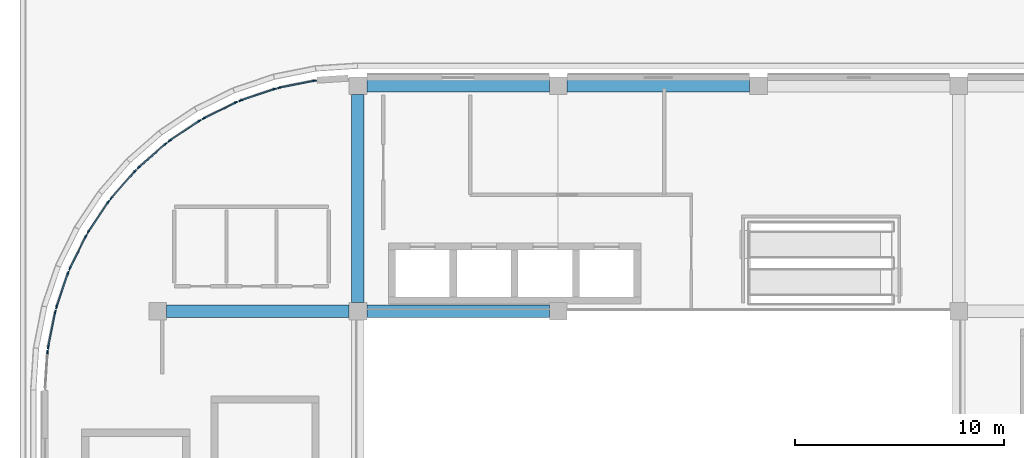
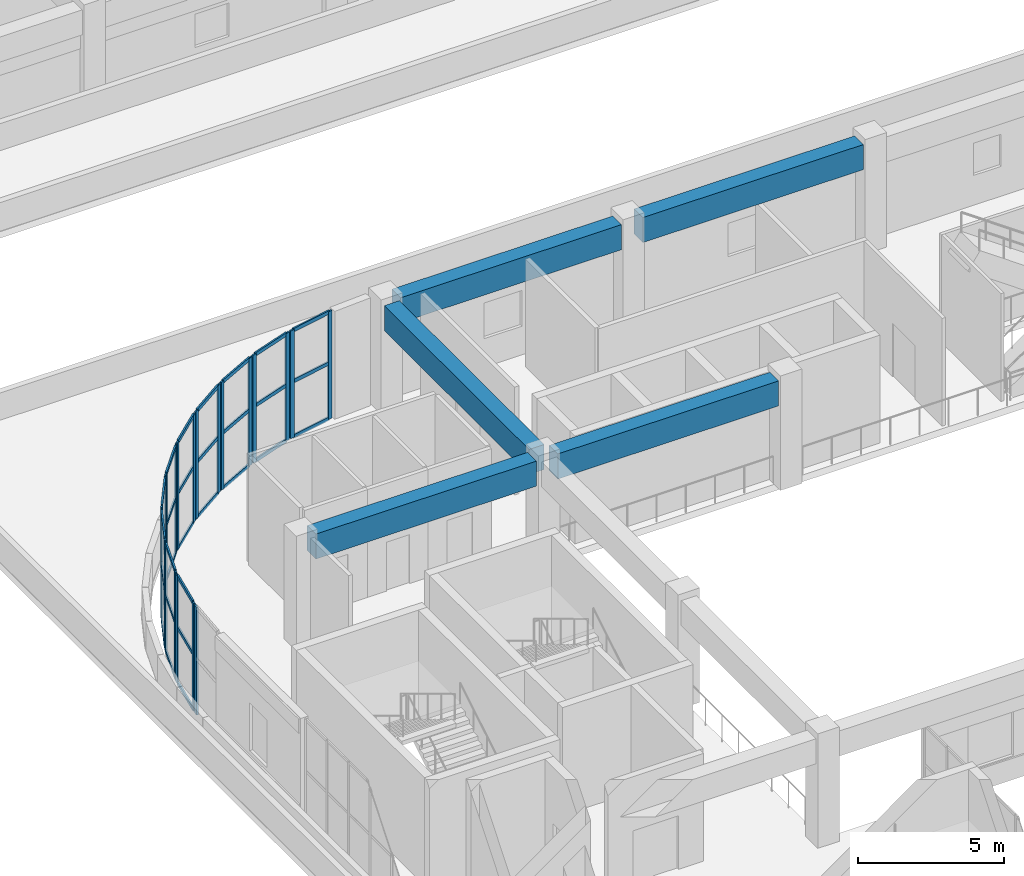
# One storey, part 8 of 67: 51 members, 5 beams, 11 elements without a shape of their own.
"""IFC4 building model written with IfcOpenShell, lengths in metres."""

from ifc_helpers import new_model, si_unit, direction, frame, origin, origin_2d, place, context, subcontext, project, spatial, rectangle, extrude, material, layer, layer_set, material_profile, profile_set, type_object, element, aggregate, save


model = new_model("IFC4")

# Units and contexts
model_context = context("Model", 3, precision=1e-05, world=origin(), true_north=direction((0.0, 1.0)))
body_context = subcontext(model_context, "Body", "Model", "MODEL_VIEW")
ifc_project = project(units=[si_unit("LENGTHUNIT", "METRE"), si_unit("AREAUNIT", "SQUARE_METRE"), si_unit("VOLUMEUNIT", "CUBIC_METRE"), si_unit("PLANEANGLEUNIT", "RADIAN"), si_unit("MASSUNIT", "GRAM", prefix="KILO")], contexts=[model_context])

# Site, building, storey
site_placement = place(None, origin())
site = spatial("IfcSite", under=ifc_project, at=site_placement, CompositionType="ELEMENT")
building_placement = place(site_placement, origin())
building = spatial("IfcBuilding", under=site, at=building_placement, Name="Cendralis Terraced Arcade", CompositionType="ELEMENT")
storey_placement = place(building_placement, frame((0.0, 0.0, 15.0)))
storey = spatial("IfcBuildingStorey", under=building, at=storey_placement, Name="L03", CompositionType="ELEMENT", Elevation=15.0)

# Beams
ifc_material_1 = material(Name="Concrete f'c 35 MPa", Category="concrete")
ifc_material_profile_1 = material_profile(ifc_material_1, rectangle(XDim=0.60009765625, YDim=1.050048828125, at=origin_2d()), Name="RC-BM-600x1050", Category="LoadBearing")
ifc_profile_set_1 = profile_set([ifc_material_profile_1], Name="Concrete f'c 35 MPa")
beam_type = type_object("IfcBeamType", Name="BM-600x1050", PredefinedType="JOIST", material=ifc_profile_set_1)
for number, where, z_axis, x_axis, name in (
    (1, (10.02490234375, 38.39990234375, 3.9951171875), (1.0, 0.0, 0.0), (0.0, 1.0, 0.0), "Reinforced Concrete Frame Beam BM-X-L04-E-2_3"),
    (2, (19.625, 38.39990234375, 3.9951171875), (1.0, 0.0, 0.0), (0.0, 1.0, 0.0), "Reinforced Concrete Frame Beam BM-X-L04-E-3_4"),
    (3, (19.625, 49.199951171875, 3.9951171875), (1.0, 0.0, 0.0), (0.0, 1.0, 0.0), "Reinforced Concrete Frame Beam BM-X-L04-F-3_4"),
    (4, (29.22509765625, 49.199951171875, 3.9951171875), (1.0, 0.0, 0.0), (0.0, 1.0, 0.0), "Reinforced Concrete Frame Beam BM-X-L04-F-4_5"),
):
    element("IfcBeam", number, at=place(storey_placement, frame(where, z_axis=z_axis, x_axis=x_axis)), inside=storey, type_object=beam_type, Name=name, PredefinedType="JOIST", context=body_context, shape_type="SweptSolid", body=[
        extrude(rectangle(XDim=0.60009765625, YDim=1.050048828125, at=origin_2d()), origin(), (0.0, 0.0, 1.0), 8.75),
    ])
beam_placement = place(storey_placement, frame((19.199951171875, 38.824951171875, 3.9951171875), z_axis=(0.0, 1.0, 0.0), x_axis=(-1.0, 0.0, 0.0)))
element("IfcBeam", 5, at=beam_placement, inside=storey, type_object=beam_type, Name="Reinforced Concrete Frame Beam BM-Y-L04-3-E_F", PredefinedType="JOIST", context=body_context, shape_type="SweptSolid", body=[
    extrude(rectangle(XDim=0.60009765625, YDim=1.050048828125, at=origin_2d()), origin(), (0.0, 0.0, 1.0), 9.949951171875),
])

# Curtain wall, members
ifc_material_2 = material(Name="Anodised aluminium EN AW-6063 T6", Category="aluminium")
ifc_layer = layer(ifc_material_2, 0.179931640625, Name="CW-UNIT-A")
ifc_layer_set = layer_set([ifc_layer], Name="Anodised aluminium EN AW-6063 T6")
curtain_wall_type = type_object("IfcCurtainWallType", Name="CW-UNIT-A", PredefinedType="USERDEFINED", material=ifc_layer_set)
curtain_wall_1_placement = place(storey_placement, origin())
curtain_wall_1 = element("IfcCurtainWall", 6, at=curtain_wall_1_placement, inside=storey, type_object=curtain_wall_type, Name="Exterior Unitised Facade CW-L03-0270", ObjectType="UNITISED FACADE", PredefinedType="USERDEFINED")
ifc_material_profile_2 = material_profile(ifc_material_2, rectangle(XDim=0.06494140625, YDim=0.179931640625, at=origin_2d()), Name="ALU-MUL-65x180")
ifc_profile_set_2 = profile_set([ifc_material_profile_2], Name="Anodised aluminium EN AW-6063 T6")
member_type_1 = type_object("IfcMemberType", Name="CW-UNIT-A-MUL", PredefinedType="MULLION", material=ifc_profile_set_2)
member_1_placement = place(storey_placement, frame((4.352294921875, 36.677978515625, 0.0), z_axis=(0.0, 0.0, 1.0), x_axis=(-0.980791618721, 0.195058454434, 0.0)))
member_1 = element("IfcMember", 7, at=member_1_placement, type_object=member_type_1, Name="CW-U1 mullion 1", PredefinedType="MULLION", context=body_context, shape_type="SweptSolid", body=[
    extrude(rectangle(XDim=0.06494140625, YDim=0.179931640625, at=origin_2d()), origin(), (0.0, 0.0, 1.0), 4.52001953125),
])
member_2_placement = place(storey_placement, frame((4.687255859375, 38.362060546875, 0.0), z_axis=(0.0, 0.0, 1.0), x_axis=(-0.980791618721, 0.195058454434, 0.0)))
member_2 = element("IfcMember", 8, at=member_2_placement, type_object=member_type_1, Name="CW-U1 mullion 2", PredefinedType="MULLION", context=body_context, shape_type="SweptSolid", body=[
    extrude(rectangle(XDim=0.06494140625, YDim=0.179931640625, at=origin_2d()), origin(), (0.0, 0.0, 1.0), 4.52001953125),
])

curtain_wall_2_placement = place(storey_placement, origin())
curtain_wall_2 = element("IfcCurtainWall", 9, at=curtain_wall_2_placement, inside=storey, type_object=curtain_wall_type, Name="Exterior Unitised Facade CW-L03-0271", ObjectType="UNITISED FACADE", PredefinedType="USERDEFINED")
member_3_placement = place(storey_placement, frame((4.75048828125, 38.598388671875, 0.0), z_axis=(0.0, 0.0, 1.0), x_axis=(-0.946923811316, 0.321458077458, 0.0)))
member_3 = element("IfcMember", 10, at=member_3_placement, type_object=member_type_1, Name="CW-U1 mullion 1", PredefinedType="MULLION", context=body_context, shape_type="SweptSolid", body=[
    extrude(rectangle(XDim=0.06494140625, YDim=0.179931640625, at=origin_2d()), origin(), (0.0, 0.0, 1.0), 4.52001953125),
])
member_4_placement = place(storey_placement, frame((5.302490234375, 40.224365234375, 0.0), z_axis=(0.0, 0.0, 1.0), x_axis=(-0.946923811316, 0.321458077458, 0.0)))
member_4 = element("IfcMember", 11, at=member_4_placement, type_object=member_type_1, Name="CW-U1 mullion 2", PredefinedType="MULLION", context=body_context, shape_type="SweptSolid", body=[
    extrude(rectangle(XDim=0.06494140625, YDim=0.179931640625, at=origin_2d()), origin(), (0.0, 0.0, 1.0), 4.52001953125),
])

curtain_wall_3_placement = place(storey_placement, origin())
curtain_wall_3 = element("IfcCurtainWall", 12, at=curtain_wall_3_placement, inside=storey, type_object=curtain_wall_type, Name="Exterior Unitised Facade CW-L03-0272", ObjectType="UNITISED FACADE", PredefinedType="USERDEFINED")
member_5_placement = place(storey_placement, frame((5.39599609375, 40.4501953125, 0.0), z_axis=(0.0, 0.0, 1.0), x_axis=(-0.896871480419, 0.442291247495, 0.0)))
member_5 = element("IfcMember", 13, at=member_5_placement, type_object=member_type_1, Name="CW-U1 mullion 1", PredefinedType="MULLION", context=body_context, shape_type="SweptSolid", body=[
    extrude(rectangle(XDim=0.06494140625, YDim=0.179931640625, at=origin_2d()), origin(), (0.0, 0.0, 1.0), 4.52001953125),
])
member_6_placement = place(storey_placement, frame((6.155517578125, 41.990234375, 0.0), z_axis=(0.0, 0.0, 1.0), x_axis=(-0.896871480419, 0.442291247495, 0.0)))
member_6 = element("IfcMember", 14, at=member_6_placement, type_object=member_type_1, Name="CW-U1 mullion 2", PredefinedType="MULLION", context=body_context, shape_type="SweptSolid", body=[
    extrude(rectangle(XDim=0.06494140625, YDim=0.179931640625, at=origin_2d()), origin(), (0.0, 0.0, 1.0), 4.52001953125),
])

curtain_wall_4_placement = place(storey_placement, origin())
curtain_wall_4 = element("IfcCurtainWall", 15, at=curtain_wall_4_placement, inside=storey, type_object=curtain_wall_type, Name="Exterior Unitised Facade CW-L03-0273", ObjectType="UNITISED FACADE", PredefinedType="USERDEFINED")
member_7_placement = place(storey_placement, frame((6.277587890625, 42.201904296875, 0.0), z_axis=(0.0, 0.0, 1.0), x_axis=(-0.831471454125, 0.555567476528, 0.0)))
member_7 = element("IfcMember", 16, at=member_7_placement, type_object=member_type_1, Name="CW-U1 mullion 1", PredefinedType="MULLION", context=body_context, shape_type="SweptSolid", body=[
    extrude(rectangle(XDim=0.06494140625, YDim=0.179931640625, at=origin_2d()), origin(), (0.0, 0.0, 1.0), 4.52001953125),
])
member_8_placement = place(storey_placement, frame((7.231689453125, 43.629638671875, 0.0), z_axis=(0.0, 0.0, 1.0), x_axis=(-0.831471454125, 0.555567476528, 0.0)))
member_8 = element("IfcMember", 17, at=member_8_placement, type_object=member_type_1, Name="CW-U1 mullion 2", PredefinedType="MULLION", context=body_context, shape_type="SweptSolid", body=[
    extrude(rectangle(XDim=0.06494140625, YDim=0.179931640625, at=origin_2d()), origin(), (0.0, 0.0, 1.0), 4.52001953125),
])

curtain_wall_5_placement = place(storey_placement, origin())
curtain_wall_5 = element("IfcCurtainWall", 18, at=curtain_wall_5_placement, inside=storey, type_object=curtain_wall_type, Name="Exterior Unitised Facade CW-L03-0274", ObjectType="UNITISED FACADE", PredefinedType="USERDEFINED")
member_9_placement = place(storey_placement, frame((7.38037109375, 43.823486328125, 0.0), z_axis=(0.0, 0.0, 1.0), x_axis=(-0.751804497477, 0.659386076266, 0.0)))
member_9 = element("IfcMember", 19, at=member_9_placement, type_object=member_type_1, Name="CW-U1 mullion 1", PredefinedType="MULLION", context=body_context, shape_type="SweptSolid", body=[
    extrude(rectangle(XDim=0.06494140625, YDim=0.179931640625, at=origin_2d()), origin(), (0.0, 0.0, 1.0), 4.52001953125),
])
member_10_placement = place(storey_placement, frame((8.5126953125, 45.114501953125, 0.0), z_axis=(0.0, 0.0, 1.0), x_axis=(-0.751804497477, 0.659386076266, 0.0)))
member_10 = element("IfcMember", 20, at=member_10_placement, type_object=member_type_1, Name="CW-U1 mullion 2", PredefinedType="MULLION", context=body_context, shape_type="SweptSolid", body=[
    extrude(rectangle(XDim=0.06494140625, YDim=0.179931640625, at=origin_2d()), origin(), (0.0, 0.0, 1.0), 4.52001953125),
])

curtain_wall_6_placement = place(storey_placement, origin())
curtain_wall_6 = element("IfcCurtainWall", 21, at=curtain_wall_6_placement, inside=storey, type_object=curtain_wall_type, Name="Exterior Unitised Facade CW-L03-0275", ObjectType="UNITISED FACADE", PredefinedType="USERDEFINED")
member_11_placement = place(storey_placement, frame((8.685546875, 45.287353515625, 0.0), z_axis=(0.0, 0.0, 1.0), x_axis=(-0.659386076266, 0.751804497477, 0.0)))
member_11 = element("IfcMember", 22, at=member_11_placement, type_object=member_type_1, Name="CW-U1 mullion 1", PredefinedType="MULLION", context=body_context, shape_type="SweptSolid", body=[
    extrude(rectangle(XDim=0.06494140625, YDim=0.179931640625, at=origin_2d()), origin(), (0.0, 0.0, 1.0), 4.52001953125),
])
member_12_placement = place(storey_placement, frame((9.9765625, 46.419677734375, 0.0), z_axis=(0.0, 0.0, 1.0), x_axis=(-0.659386076266, 0.751804497477, 0.0)))
member_12 = element("IfcMember", 23, at=member_12_placement, type_object=member_type_1, Name="CW-U1 mullion 2", PredefinedType="MULLION", context=body_context, shape_type="SweptSolid", body=[
    extrude(rectangle(XDim=0.06494140625, YDim=0.179931640625, at=origin_2d()), origin(), (0.0, 0.0, 1.0), 4.52001953125),
])

curtain_wall_7_placement = place(storey_placement, origin())
curtain_wall_7 = element("IfcCurtainWall", 24, at=curtain_wall_7_placement, inside=storey, type_object=curtain_wall_type, Name="Exterior Unitised Facade CW-L03-0276", ObjectType="UNITISED FACADE", PredefinedType="USERDEFINED")
member_13_placement = place(storey_placement, frame((10.17041015625, 46.568359375, 0.0), z_axis=(0.0, 0.0, 1.0), x_axis=(-0.555567476528, 0.831471454125, 0.0)))
member_13 = element("IfcMember", 25, at=member_13_placement, type_object=member_type_1, Name="CW-U1 mullion 1", PredefinedType="MULLION", context=body_context, shape_type="SweptSolid", body=[
    extrude(rectangle(XDim=0.06494140625, YDim=0.179931640625, at=origin_2d()), origin(), (0.0, 0.0, 1.0), 4.52001953125),
])
member_14_placement = place(storey_placement, frame((11.59814453125, 47.5224609375, 0.0), z_axis=(0.0, 0.0, 1.0), x_axis=(-0.555567476528, 0.831471454125, 0.0)))
member_14 = element("IfcMember", 26, at=member_14_placement, type_object=member_type_1, Name="CW-U1 mullion 2", PredefinedType="MULLION", context=body_context, shape_type="SweptSolid", body=[
    extrude(rectangle(XDim=0.06494140625, YDim=0.179931640625, at=origin_2d()), origin(), (0.0, 0.0, 1.0), 4.52001953125),
])

curtain_wall_8_placement = place(storey_placement, origin())
curtain_wall_8 = element("IfcCurtainWall", 27, at=curtain_wall_8_placement, inside=storey, type_object=curtain_wall_type, Name="Exterior Unitised Facade CW-L03-0277", ObjectType="UNITISED FACADE", PredefinedType="USERDEFINED")
member_15_placement = place(storey_placement, frame((11.809814453125, 47.64453125, 0.0), z_axis=(0.0, 0.0, 1.0), x_axis=(-0.442291247495, 0.896871480419, 0.0)))
member_15 = element("IfcMember", 28, at=member_15_placement, type_object=member_type_1, Name="CW-U1 mullion 1", PredefinedType="MULLION", context=body_context, shape_type="SweptSolid", body=[
    extrude(rectangle(XDim=0.06494140625, YDim=0.179931640625, at=origin_2d()), origin(), (0.0, 0.0, 1.0), 4.52001953125),
])
member_16_placement = place(storey_placement, frame((13.349853515625, 48.404052734375, 0.0), z_axis=(0.0, 0.0, 1.0), x_axis=(-0.442291247495, 0.896871480419, 0.0)))
member_16 = element("IfcMember", 29, at=member_16_placement, type_object=member_type_1, Name="CW-U1 mullion 2", PredefinedType="MULLION", context=body_context, shape_type="SweptSolid", body=[
    extrude(rectangle(XDim=0.06494140625, YDim=0.179931640625, at=origin_2d()), origin(), (0.0, 0.0, 1.0), 4.52001953125),
])

curtain_wall_9_placement = place(storey_placement, origin())
curtain_wall_9 = element("IfcCurtainWall", 30, at=curtain_wall_9_placement, inside=storey, type_object=curtain_wall_type, Name="Exterior Unitised Facade CW-L03-0278", ObjectType="UNITISED FACADE", PredefinedType="USERDEFINED")
member_17_placement = place(storey_placement, frame((13.57568359375, 48.49755859375, 0.0), z_axis=(0.0, 0.0, 1.0), x_axis=(-0.321458077458, 0.946923811316, 0.0)))
member_17 = element("IfcMember", 31, at=member_17_placement, type_object=member_type_1, Name="CW-U1 mullion 1", PredefinedType="MULLION", context=body_context, shape_type="SweptSolid", body=[
    extrude(rectangle(XDim=0.06494140625, YDim=0.179931640625, at=origin_2d()), origin(), (0.0, 0.0, 1.0), 4.52001953125),
])
member_18_placement = place(storey_placement, frame((15.20166015625, 49.049560546875, 0.0), z_axis=(0.0, 0.0, 1.0), x_axis=(-0.321458077458, 0.946923811316, 0.0)))
member_18 = element("IfcMember", 32, at=member_18_placement, type_object=member_type_1, Name="CW-U1 mullion 2", PredefinedType="MULLION", context=body_context, shape_type="SweptSolid", body=[
    extrude(rectangle(XDim=0.06494140625, YDim=0.179931640625, at=origin_2d()), origin(), (0.0, 0.0, 1.0), 4.52001953125),
])

curtain_wall_10_placement = place(storey_placement, origin())
curtain_wall_10 = element("IfcCurtainWall", 33, at=curtain_wall_10_placement, inside=storey, type_object=curtain_wall_type, Name="Exterior Unitised Facade CW-L03-0279", ObjectType="UNITISED FACADE", PredefinedType="USERDEFINED")
member_19_placement = place(storey_placement, frame((15.43798828125, 49.11279296875, 0.0), z_axis=(0.0, 0.0, 1.0), x_axis=(-0.195058454434, 0.980791618721, 0.0)))
member_19 = element("IfcMember", 34, at=member_19_placement, type_object=member_type_1, Name="CW-U1 mullion 1", PredefinedType="MULLION", context=body_context, shape_type="SweptSolid", body=[
    extrude(rectangle(XDim=0.06494140625, YDim=0.179931640625, at=origin_2d()), origin(), (0.0, 0.0, 1.0), 4.52001953125),
])
member_20_placement = place(storey_placement, frame((17.121826171875, 49.44775390625, 0.0), z_axis=(0.0, 0.0, 1.0), x_axis=(-0.195058454434, 0.980791618721, 0.0)))
member_20 = element("IfcMember", 35, at=member_20_placement, type_object=member_type_1, Name="CW-U1 mullion 2", PredefinedType="MULLION", context=body_context, shape_type="SweptSolid", body=[
    extrude(rectangle(XDim=0.06494140625, YDim=0.179931640625, at=origin_2d()), origin(), (0.0, 0.0, 1.0), 4.52001953125),
])

# Curtain wall, member
curtain_wall_11_placement = place(storey_placement, origin())
curtain_wall_11 = element("IfcCurtainWall", 36, at=curtain_wall_11_placement, inside=storey, type_object=curtain_wall_type, Name="Exterior Unitised Facade CW-L03-0298", ObjectType="UNITISED FACADE", PredefinedType="USERDEFINED")
member_21_placement = place(storey_placement, frame((4.3203125, 36.435791015625, 0.0), z_axis=(0.0, 0.0, 1.0), x_axis=(-0.997860971336, 0.065371873798, 0.0)))
member_21 = element("IfcMember", 37, at=member_21_placement, type_object=member_type_1, Name="CW-U1 mullion 2", PredefinedType="MULLION", context=body_context, shape_type="SweptSolid", body=[
    extrude(rectangle(XDim=0.06494140625, YDim=0.179931640625, at=origin_2d()), origin(), (0.0, 0.0, 1.0), 4.52001953125),
])
aggregate(curtain_wall_11, [member_21])

# Member
ifc_material_profile_3 = material_profile(ifc_material_2, rectangle(XDim=0.06494140625, YDim=0.14990234375, at=origin_2d()), Name="ALU-TRN-65x150")
ifc_profile_set_3 = profile_set([ifc_material_profile_3], Name="Anodised aluminium EN AW-6063 T6")
member_type_2 = type_object("IfcMemberType", Name="CW-UNIT-A-TRN", PredefinedType="USERDEFINED", material=ifc_profile_set_3)
member_22_placement = place(storey_placement, frame((4.358642578125, 36.7099609375, 0.032470703125), z_axis=(0.195064538134, 0.980790408784, 0.0), x_axis=(-0.980790408784, 0.195064538134, 0.0)))
member_22 = element("IfcMember", 38, at=member_22_placement, type_object=member_type_2, Name="CW-U1 transom 1.1", ObjectType="TRANSOM", PredefinedType="USERDEFINED", context=body_context, shape_type="SweptSolid", body=[
    extrude(rectangle(XDim=0.06494140625, YDim=0.14990234375, at=origin_2d()), origin(), (0.0, 0.0, 1.0), 1.652099609375),
])

member_23_placement = place(storey_placement, frame((4.358642578125, 36.7099609375, 2.350341796875), z_axis=(0.195064538134, 0.980790408784, 0.0), x_axis=(-0.980790408784, 0.195064538134, 0.0)))
member_23 = element("IfcMember", 39, at=member_23_placement, type_object=member_type_2, Name="CW-U1 transom 1.2", ObjectType="TRANSOM", PredefinedType="USERDEFINED", context=body_context, shape_type="SweptSolid", body=[
    extrude(rectangle(XDim=0.06494140625, YDim=0.14990234375, at=origin_2d()), origin(), (0.0, 0.0, 1.0), 1.652099609375),
])

member_24_placement = place(storey_placement, frame((4.358642578125, 36.7099609375, 4.487548828125), z_axis=(0.195064538134, 0.980790408784, 0.0), x_axis=(-0.980790408784, 0.195064538134, 0.0)))
member_24 = element("IfcMember", 40, at=member_24_placement, type_object=member_type_2, Name="CW-U1 transom 1.3", ObjectType="TRANSOM", PredefinedType="USERDEFINED", context=body_context, shape_type="SweptSolid", body=[
    extrude(rectangle(XDim=0.06494140625, YDim=0.14990234375, at=origin_2d()), origin(), (0.0, 0.0, 1.0), 1.652099609375),
])

aggregate(curtain_wall_1, [member_1, member_2, member_22, member_23, member_24])

member_25_placement = place(storey_placement, frame((4.760986328125, 38.629150390625, 0.032470703125), z_axis=(0.321409930755, 0.94694015461, 0.0), x_axis=(-0.94694015461, 0.321409930755, 0.0)))
member_25 = element("IfcMember", 41, at=member_25_placement, type_object=member_type_2, Name="CW-U1 transom 1.1", ObjectType="TRANSOM", PredefinedType="USERDEFINED", context=body_context, shape_type="SweptSolid", body=[
    extrude(rectangle(XDim=0.06494140625, YDim=0.14990234375, at=origin_2d()), origin(), (0.0, 0.0, 1.0), 1.652099609375),
])

member_26_placement = place(storey_placement, frame((4.760986328125, 38.629150390625, 2.350341796875), z_axis=(0.321409930755, 0.94694015461, 0.0), x_axis=(-0.94694015461, 0.321409930755, 0.0)))
member_26 = element("IfcMember", 42, at=member_26_placement, type_object=member_type_2, Name="CW-U1 transom 1.2", ObjectType="TRANSOM", PredefinedType="USERDEFINED", context=body_context, shape_type="SweptSolid", body=[
    extrude(rectangle(XDim=0.06494140625, YDim=0.14990234375, at=origin_2d()), origin(), (0.0, 0.0, 1.0), 1.652099609375),
])

member_27_placement = place(storey_placement, frame((4.760986328125, 38.629150390625, 4.487548828125), z_axis=(0.321409930755, 0.94694015461, 0.0), x_axis=(-0.94694015461, 0.321409930755, 0.0)))
member_27 = element("IfcMember", 43, at=member_27_placement, type_object=member_type_2, Name="CW-U1 transom 1.3", ObjectType="TRANSOM", PredefinedType="USERDEFINED", context=body_context, shape_type="SweptSolid", body=[
    extrude(rectangle(XDim=0.06494140625, YDim=0.14990234375, at=origin_2d()), origin(), (0.0, 0.0, 1.0), 1.652099609375),
])

aggregate(curtain_wall_2, [member_3, member_4, member_25, member_26, member_27])

member_28_placement = place(storey_placement, frame((5.410400390625, 40.479248046875, 0.032470703125), z_axis=(0.442300625853, 0.896866855431, 0.0), x_axis=(-0.896866855431, 0.442300625853, 0.0)))
member_28 = element("IfcMember", 44, at=member_28_placement, type_object=member_type_2, Name="CW-U1 transom 1.1", ObjectType="TRANSOM", PredefinedType="USERDEFINED", context=body_context, shape_type="SweptSolid", body=[
    extrude(rectangle(XDim=0.06494140625, YDim=0.14990234375, at=origin_2d()), origin(), (0.0, 0.0, 1.0), 1.652099609375),
])

member_29_placement = place(storey_placement, frame((5.410400390625, 40.479248046875, 2.350341796875), z_axis=(0.442300625853, 0.896866855431, 0.0), x_axis=(-0.896866855431, 0.442300625853, 0.0)))
member_29 = element("IfcMember", 45, at=member_29_placement, type_object=member_type_2, Name="CW-U1 transom 1.2", ObjectType="TRANSOM", PredefinedType="USERDEFINED", context=body_context, shape_type="SweptSolid", body=[
    extrude(rectangle(XDim=0.06494140625, YDim=0.14990234375, at=origin_2d()), origin(), (0.0, 0.0, 1.0), 1.652099609375),
])

member_30_placement = place(storey_placement, frame((5.410400390625, 40.479248046875, 4.487548828125), z_axis=(0.442300625853, 0.896866855431, 0.0), x_axis=(-0.896866855431, 0.442300625853, 0.0)))
member_30 = element("IfcMember", 46, at=member_30_placement, type_object=member_type_2, Name="CW-U1 transom 1.3", ObjectType="TRANSOM", PredefinedType="USERDEFINED", context=body_context, shape_type="SweptSolid", body=[
    extrude(rectangle(XDim=0.06494140625, YDim=0.14990234375, at=origin_2d()), origin(), (0.0, 0.0, 1.0), 1.652099609375),
])

aggregate(curtain_wall_3, [member_5, member_6, member_28, member_29, member_30])

member_31_placement = place(storey_placement, frame((6.295654296875, 42.228759765625, 0.032470703125), z_axis=(0.555586455466, 0.831458772582, 0.0), x_axis=(-0.831458772582, 0.555586455466, 0.0)))
member_31 = element("IfcMember", 47, at=member_31_placement, type_object=member_type_2, Name="CW-U1 transom 1.1", ObjectType="TRANSOM", PredefinedType="USERDEFINED", context=body_context, shape_type="SweptSolid", body=[
    extrude(rectangle(XDim=0.06494140625, YDim=0.14990234375, at=origin_2d()), origin(), (0.0, 0.0, 1.0), 1.65234375),
])

member_32_placement = place(storey_placement, frame((6.295654296875, 42.228759765625, 2.350341796875), z_axis=(0.555586455466, 0.831458772582, 0.0), x_axis=(-0.831458772582, 0.555586455466, 0.0)))
member_32 = element("IfcMember", 48, at=member_32_placement, type_object=member_type_2, Name="CW-U1 transom 1.2", ObjectType="TRANSOM", PredefinedType="USERDEFINED", context=body_context, shape_type="SweptSolid", body=[
    extrude(rectangle(XDim=0.06494140625, YDim=0.14990234375, at=origin_2d()), origin(), (0.0, 0.0, 1.0), 1.65234375),
])

member_33_placement = place(storey_placement, frame((6.295654296875, 42.228759765625, 4.487548828125), z_axis=(0.555586455466, 0.831458772582, 0.0), x_axis=(-0.831458772582, 0.555586455466, 0.0)))
member_33 = element("IfcMember", 49, at=member_33_placement, type_object=member_type_2, Name="CW-U1 transom 1.3", ObjectType="TRANSOM", PredefinedType="USERDEFINED", context=body_context, shape_type="SweptSolid", body=[
    extrude(rectangle(XDim=0.06494140625, YDim=0.14990234375, at=origin_2d()), origin(), (0.0, 0.0, 1.0), 1.65234375),
])

aggregate(curtain_wall_4, [member_7, member_8, member_31, member_32, member_33])

member_34_placement = place(storey_placement, frame((7.40185546875, 43.847900390625, 0.032470703125), z_axis=(0.659341117172, 0.751843927425, 0.0), x_axis=(-0.751843927425, 0.659341117172, 0.0)))
member_34 = element("IfcMember", 50, at=member_34_placement, type_object=member_type_2, Name="CW-U1 transom 1.1", ObjectType="TRANSOM", PredefinedType="USERDEFINED", context=body_context, shape_type="SweptSolid", body=[
    extrude(rectangle(XDim=0.06494140625, YDim=0.14990234375, at=origin_2d()), origin(), (0.0, 0.0, 1.0), 1.652099609375),
])

member_35_placement = place(storey_placement, frame((7.40185546875, 43.847900390625, 2.350341796875), z_axis=(0.659341117172, 0.751843927425, 0.0), x_axis=(-0.751843927425, 0.659341117172, 0.0)))
member_35 = element("IfcMember", 51, at=member_35_placement, type_object=member_type_2, Name="CW-U1 transom 1.2", ObjectType="TRANSOM", PredefinedType="USERDEFINED", context=body_context, shape_type="SweptSolid", body=[
    extrude(rectangle(XDim=0.06494140625, YDim=0.14990234375, at=origin_2d()), origin(), (0.0, 0.0, 1.0), 1.652099609375),
])

member_36_placement = place(storey_placement, frame((7.40185546875, 43.847900390625, 4.487548828125), z_axis=(0.659341117172, 0.751843927425, 0.0), x_axis=(-0.751843927425, 0.659341117172, 0.0)))
member_36 = element("IfcMember", 52, at=member_36_placement, type_object=member_type_2, Name="CW-U1 transom 1.3", ObjectType="TRANSOM", PredefinedType="USERDEFINED", context=body_context, shape_type="SweptSolid", body=[
    extrude(rectangle(XDim=0.06494140625, YDim=0.14990234375, at=origin_2d()), origin(), (0.0, 0.0, 1.0), 1.652099609375),
])

aggregate(curtain_wall_5, [member_9, member_10, member_34, member_35, member_36])

member_37_placement = place(storey_placement, frame((8.7099609375, 45.308837890625, 0.032470703125), z_axis=(0.751843927425, 0.659341117172, 0.0), x_axis=(-0.659341117172, 0.751843927425, 0.0)))
member_37 = element("IfcMember", 53, at=member_37_placement, type_object=member_type_2, Name="CW-U1 transom 1.1", ObjectType="TRANSOM", PredefinedType="USERDEFINED", context=body_context, shape_type="SweptSolid", body=[
    extrude(rectangle(XDim=0.06494140625, YDim=0.14990234375, at=origin_2d()), origin(), (0.0, 0.0, 1.0), 1.652099609375),
])

member_38_placement = place(storey_placement, frame((8.7099609375, 45.308837890625, 2.350341796875), z_axis=(0.751843927425, 0.659341117172, 0.0), x_axis=(-0.659341117172, 0.751843927425, 0.0)))
member_38 = element("IfcMember", 54, at=member_38_placement, type_object=member_type_2, Name="CW-U1 transom 1.2", ObjectType="TRANSOM", PredefinedType="USERDEFINED", context=body_context, shape_type="SweptSolid", body=[
    extrude(rectangle(XDim=0.06494140625, YDim=0.14990234375, at=origin_2d()), origin(), (0.0, 0.0, 1.0), 1.652099609375),
])

member_39_placement = place(storey_placement, frame((8.7099609375, 45.308837890625, 4.487548828125), z_axis=(0.751843927425, 0.659341117172, 0.0), x_axis=(-0.659341117172, 0.751843927425, 0.0)))
member_39 = element("IfcMember", 55, at=member_39_placement, type_object=member_type_2, Name="CW-U1 transom 1.3", ObjectType="TRANSOM", PredefinedType="USERDEFINED", context=body_context, shape_type="SweptSolid", body=[
    extrude(rectangle(XDim=0.06494140625, YDim=0.14990234375, at=origin_2d()), origin(), (0.0, 0.0, 1.0), 1.652099609375),
])

aggregate(curtain_wall_6, [member_11, member_12, member_37, member_38, member_39])

member_40_placement = place(storey_placement, frame((10.197509765625, 46.58642578125, 0.032470703125), z_axis=(0.831413153436, 0.555654720391, 0.0), x_axis=(-0.555654720391, 0.831413153436, 0.0)))
member_40 = element("IfcMember", 56, at=member_40_placement, type_object=member_type_2, Name="CW-U1 transom 1.1", ObjectType="TRANSOM", PredefinedType="USERDEFINED", context=body_context, shape_type="SweptSolid", body=[
    extrude(rectangle(XDim=0.06494140625, YDim=0.14990234375, at=origin_2d()), origin(), (0.0, 0.0, 1.0), 1.652099609375),
])

member_41_placement = place(storey_placement, frame((10.197509765625, 46.58642578125, 2.350341796875), z_axis=(0.831413153436, 0.555654720391, 0.0), x_axis=(-0.555654720391, 0.831413153436, 0.0)))
member_41 = element("IfcMember", 57, at=member_41_placement, type_object=member_type_2, Name="CW-U1 transom 1.2", ObjectType="TRANSOM", PredefinedType="USERDEFINED", context=body_context, shape_type="SweptSolid", body=[
    extrude(rectangle(XDim=0.06494140625, YDim=0.14990234375, at=origin_2d()), origin(), (0.0, 0.0, 1.0), 1.652099609375),
])

member_42_placement = place(storey_placement, frame((10.197509765625, 46.58642578125, 4.487548828125), z_axis=(0.831413153436, 0.555654720391, 0.0), x_axis=(-0.555654720391, 0.831413153436, 0.0)))
member_42 = element("IfcMember", 58, at=member_42_placement, type_object=member_type_2, Name="CW-U1 transom 1.3", ObjectType="TRANSOM", PredefinedType="USERDEFINED", context=body_context, shape_type="SweptSolid", body=[
    extrude(rectangle(XDim=0.06494140625, YDim=0.14990234375, at=origin_2d()), origin(), (0.0, 0.0, 1.0), 1.652099609375),
])

aggregate(curtain_wall_7, [member_13, member_14, member_40, member_41, member_42])

member_43_placement = place(storey_placement, frame((11.839111328125, 47.658935546875, 0.032470703125), z_axis=(0.896866855431, 0.442300625853, 0.0), x_axis=(-0.442300625853, 0.896866855431, 0.0)))
member_43 = element("IfcMember", 59, at=member_43_placement, type_object=member_type_2, Name="CW-U1 transom 1.1", ObjectType="TRANSOM", PredefinedType="USERDEFINED", context=body_context, shape_type="SweptSolid", body=[
    extrude(rectangle(XDim=0.06494140625, YDim=0.14990234375, at=origin_2d()), origin(), (0.0, 0.0, 1.0), 1.652099609375),
])

member_44_placement = place(storey_placement, frame((11.839111328125, 47.658935546875, 2.350341796875), z_axis=(0.896866855431, 0.442300625853, 0.0), x_axis=(-0.442300625853, 0.896866855431, 0.0)))
member_44 = element("IfcMember", 60, at=member_44_placement, type_object=member_type_2, Name="CW-U1 transom 1.2", ObjectType="TRANSOM", PredefinedType="USERDEFINED", context=body_context, shape_type="SweptSolid", body=[
    extrude(rectangle(XDim=0.06494140625, YDim=0.14990234375, at=origin_2d()), origin(), (0.0, 0.0, 1.0), 1.652099609375),
])

member_45_placement = place(storey_placement, frame((11.839111328125, 47.658935546875, 4.487548828125), z_axis=(0.896866855431, 0.442300625853, 0.0), x_axis=(-0.442300625853, 0.896866855431, 0.0)))
member_45 = element("IfcMember", 61, at=member_45_placement, type_object=member_type_2, Name="CW-U1 transom 1.3", ObjectType="TRANSOM", PredefinedType="USERDEFINED", context=body_context, shape_type="SweptSolid", body=[
    extrude(rectangle(XDim=0.06494140625, YDim=0.14990234375, at=origin_2d()), origin(), (0.0, 0.0, 1.0), 1.652099609375),
])

aggregate(curtain_wall_8, [member_15, member_16, member_43, member_44, member_45])

member_46_placement = place(storey_placement, frame((13.6064453125, 48.508056640625, 0.032470703125), z_axis=(0.94694015461, 0.321409930755, 0.0), x_axis=(-0.321409930755, 0.94694015461, 0.0)))
member_46 = element("IfcMember", 62, at=member_46_placement, type_object=member_type_2, Name="CW-U1 transom 1.1", ObjectType="TRANSOM", PredefinedType="USERDEFINED", context=body_context, shape_type="SweptSolid", body=[
    extrude(rectangle(XDim=0.06494140625, YDim=0.14990234375, at=origin_2d()), origin(), (0.0, 0.0, 1.0), 1.652099609375),
])

member_47_placement = place(storey_placement, frame((13.6064453125, 48.508056640625, 2.350341796875), z_axis=(0.94694015461, 0.321409930755, 0.0), x_axis=(-0.321409930755, 0.94694015461, 0.0)))
member_47 = element("IfcMember", 63, at=member_47_placement, type_object=member_type_2, Name="CW-U1 transom 1.2", ObjectType="TRANSOM", PredefinedType="USERDEFINED", context=body_context, shape_type="SweptSolid", body=[
    extrude(rectangle(XDim=0.06494140625, YDim=0.14990234375, at=origin_2d()), origin(), (0.0, 0.0, 1.0), 1.652099609375),
])

member_48_placement = place(storey_placement, frame((13.6064453125, 48.508056640625, 4.487548828125), z_axis=(0.94694015461, 0.321409930755, 0.0), x_axis=(-0.321409930755, 0.94694015461, 0.0)))
member_48 = element("IfcMember", 64, at=member_48_placement, type_object=member_type_2, Name="CW-U1 transom 1.3", ObjectType="TRANSOM", PredefinedType="USERDEFINED", context=body_context, shape_type="SweptSolid", body=[
    extrude(rectangle(XDim=0.06494140625, YDim=0.14990234375, at=origin_2d()), origin(), (0.0, 0.0, 1.0), 1.652099609375),
])

aggregate(curtain_wall_9, [member_17, member_18, member_46, member_47, member_48])

member_49_placement = place(storey_placement, frame((15.4697265625, 49.119140625, 0.032470703125), z_axis=(0.980790408784, 0.195064538134, 0.0), x_axis=(-0.195064538134, 0.980790408784, 0.0)))
member_49 = element("IfcMember", 65, at=member_49_placement, type_object=member_type_2, Name="CW-U1 transom 1.1", ObjectType="TRANSOM", PredefinedType="USERDEFINED", context=body_context, shape_type="SweptSolid", body=[
    extrude(rectangle(XDim=0.06494140625, YDim=0.14990234375, at=origin_2d()), origin(), (0.0, 0.0, 1.0), 1.652099609375),
])

member_50_placement = place(storey_placement, frame((15.4697265625, 49.119140625, 2.350341796875), z_axis=(0.980790408784, 0.195064538134, 0.0), x_axis=(-0.195064538134, 0.980790408784, 0.0)))
member_50 = element("IfcMember", 66, at=member_50_placement, type_object=member_type_2, Name="CW-U1 transom 1.2", ObjectType="TRANSOM", PredefinedType="USERDEFINED", context=body_context, shape_type="SweptSolid", body=[
    extrude(rectangle(XDim=0.06494140625, YDim=0.14990234375, at=origin_2d()), origin(), (0.0, 0.0, 1.0), 1.652099609375),
])

member_51_placement = place(storey_placement, frame((15.4697265625, 49.119140625, 4.487548828125), z_axis=(0.980790408784, 0.195064538134, 0.0), x_axis=(-0.195064538134, 0.980790408784, 0.0)))
member_51 = element("IfcMember", 67, at=member_51_placement, type_object=member_type_2, Name="CW-U1 transom 1.3", ObjectType="TRANSOM", PredefinedType="USERDEFINED", context=body_context, shape_type="SweptSolid", body=[
    extrude(rectangle(XDim=0.06494140625, YDim=0.14990234375, at=origin_2d()), origin(), (0.0, 0.0, 1.0), 1.652099609375),
])

aggregate(curtain_wall_10, [member_19, member_20, member_49, member_50, member_51])

save(model, "model.ifc")
